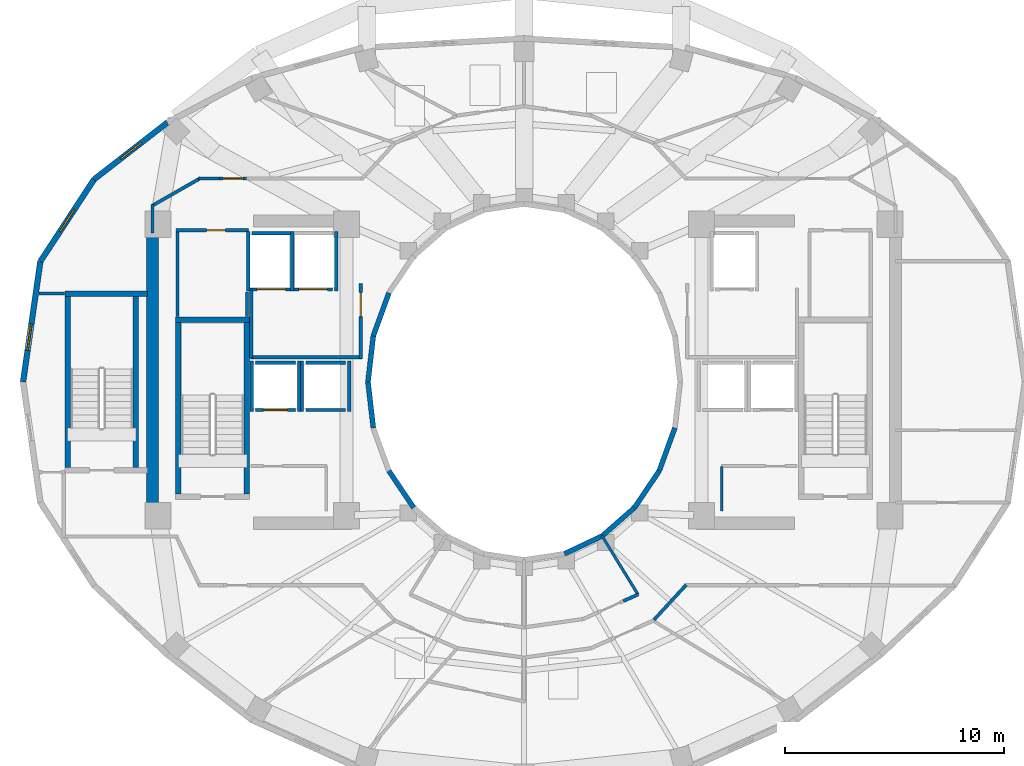
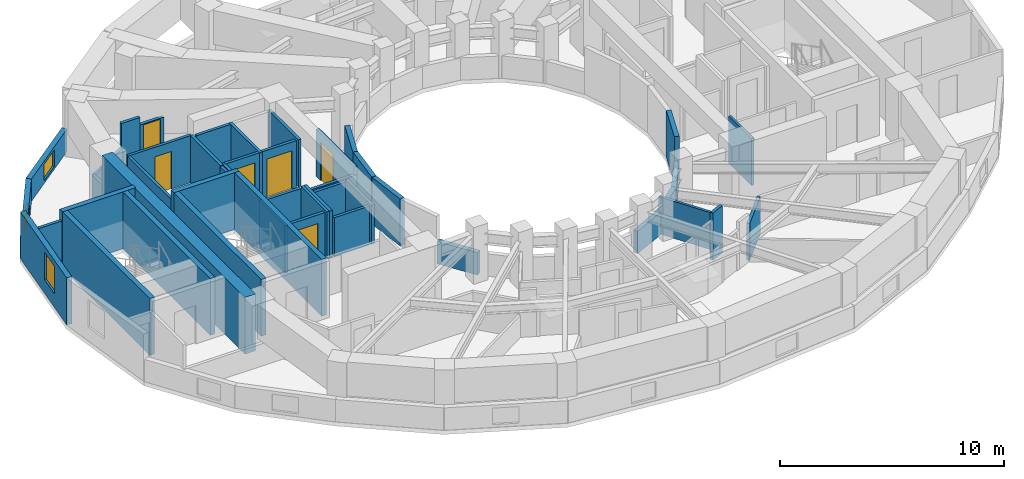
# One storey, part 4 of 9: 47 walls, 6 doors, 3 windows, 9 openings.
"""IFC4 building model written with IfcOpenShell, lengths in metres."""

from ifc_helpers import new_model, si_unit, direction, frame, frame_2d, origin, place, context, subcontext, project, spatial, rectangle, extrude, material, layer, layer_set, type_object, element, fill, save


model = new_model("IFC4")

# Units and contexts
model_context = context("Model", 3, precision=1e-05, world=origin(), true_north=direction((0.0, 1.0)))
body_context = subcontext(model_context, "Body", "Model", "MODEL_VIEW")
ifc_project = project(units=[si_unit("LENGTHUNIT", "METRE"), si_unit("AREAUNIT", "SQUARE_METRE"), si_unit("VOLUMEUNIT", "CUBIC_METRE"), si_unit("PLANEANGLEUNIT", "RADIAN"), si_unit("MASSUNIT", "GRAM", prefix="KILO")], contexts=[model_context])

# Site, building, storey
site_placement = place(None, origin())
site = spatial("IfcSite", under=ifc_project, at=site_placement, CompositionType="ELEMENT")
building_placement = place(site_placement, origin())
building = spatial("IfcBuilding", under=site, at=building_placement, Name="Solvane Sanctuary Tower", CompositionType="ELEMENT")
storey_placement = place(building_placement, frame((0.0, 0.0, 177.699951171875)))
storey = spatial("IfcBuildingStorey", under=building, at=storey_placement, Name="L54", CompositionType="ELEMENT", Elevation=177.699951171875)

# Walls
ifc_material_1 = material(Name="Concrete C50/60", Category="concrete")
ifc_layer_1 = layer(ifc_material_1, 0.550048828125, Name="Concrete C50/60")
ifc_layer_set_1 = layer_set([ifc_layer_1], Name="Concrete C50/60")
wall_type_1 = type_object("IfcWallType", Name="Wall W-CORE-550", PredefinedType="SHEAR", material=ifc_layer_set_1)
wall_1_placement = place(storey_placement, frame((15.050048828125, 17.050048828125, 0.0), z_axis=(0.0, 0.0, 1.0), x_axis=(0.0, 1.0, 0.0)))
element("IfcWall", 1, at=wall_1_placement, inside=storey, type_object=wall_type_1, Name="L54 Core Shear Wall WC-W", PredefinedType="SHEAR", context=body_context, shape_type="SweptSolid", body=[
    extrude(rectangle(XDim=12.800048828125, YDim=0.550048828125, at=frame_2d((6.39990234375, 0.0))), origin(), (0.0, 0.0, 1.0), 3.10009765625),
])
ifc_material_2 = material(Name="Acoustic Gypsum Partition Board")
ifc_layer_2 = layer(ifc_material_2, 0.14990234375, Name="Acoustic Gypsum Partition Board")
ifc_layer_set_2 = layer_set([ifc_layer_2], Name="Acoustic Gypsum Partition Board")
wall_type_2 = type_object("IfcWallType", Name="Wall W-CORR-150", PredefinedType="PARTITIONING", material=ifc_layer_set_2)
wall_2_placement = place(storey_placement, frame((19.52001953125, 24.1201171875, 0.0), z_axis=(0.0, 0.0, 1.0), x_axis=(1.0, 0.0, 0.0)))
element("IfcWall", 2, at=wall_2_placement, inside=storey, type_object=wall_type_2, Name="L54 West Firefighting Lobby South Wall", PredefinedType="PARTITIONING", context=body_context, shape_type="SweptSolid", body=[
    extrude(rectangle(XDim=5.080078125, YDim=0.14990234375, at=frame_2d((2.5400390625, 0.0))), origin(), (0.0, 0.0, 1.0), 2.1201171875),
])
wall_3_placement = place(storey_placement, frame((19.550048828125, 24.080078125, 0.0), z_axis=(0.0, 0.0, 1.0), x_axis=(0.0, 1.0, 0.0)))
element("IfcWall", 3, at=wall_3_placement, inside=storey, type_object=wall_type_2, Name="L54 West Firefighting Lobby West Wall", PredefinedType="PARTITIONING", context=body_context, shape_type="SweptSolid", body=[
    extrude(rectangle(XDim=3.199951171875, YDim=0.14990234375, at=frame_2d((1.60009765625, 0.0))), origin(), (0.0, 0.0, 1.0), 2.574951171875),
])

# Wall, opening, door
wall_4_placement = place(storey_placement, frame((24.550048828125, 24.080078125, 0.0), z_axis=(0.0, 0.0, 1.0), x_axis=(0.0, 1.0, 0.0)))
wall_4 = element("IfcWall", 4, at=wall_4_placement, inside=storey, type_object=wall_type_2, Name="L54 West Firefighting Lobby East Wall", PredefinedType="PARTITIONING", context=body_context, shape_type="SweptSolid", body=[
    extrude(rectangle(XDim=3.39990234375, YDim=0.14990234375, at=frame_2d((1.699951171875, 0.0))), origin(), (0.0, 0.0, 1.0), 2.574951171875),
])
opening_1_placement = place(wall_4_placement, frame((1.893798828125, 0.0, 0.0)))
opening_1 = element("IfcOpeningElement", 5, at=opening_1_placement, cuts=wall_4, Name="Opening D-L54-04", PredefinedType="OPENING", context=body_context, shape_type="SweptSolid", body=[
    extrude(rectangle(XDim=1.10009765625, YDim=2.10009765625, at=frame_2d((0.550048828125, 1.050048828125))), frame((0.0, 0.0849609375, 0.0), z_axis=(0.0, -1.0, 0.0), x_axis=(1.0, 0.0, 0.0)), (0.0, 0.0, 1.0), 0.169921875),
])
ifc_material_3 = material(Name="Architectural Stainless Steel 316", Category="steel")
door_type_1 = type_object("IfcDoorType", Name="Door D-FFL", OperationType="NOTDEFINED", PredefinedType="DOOR", material=ifc_material_3)
door_1_placement = place(opening_1_placement, origin())
door_1 = element("IfcDoor", 6, at=door_1_placement, inside=storey, type_object=door_type_1, Name="L54 West Firefighting Lobby Fire Door", OperationType="SINGLE_SWING_RIGHT", OverallHeight=2.10009765625, OverallWidth=1.10009765625, PredefinedType="DOOR", context=body_context, shape_type="SweptSolid", body=[
    extrude(rectangle(XDim=1.10009765625, YDim=2.10009765625, at=frame_2d((0.550048828125, 1.050048828125))), frame((0.0, 0.02490234375, 0.0), z_axis=(0.0, -1.0, 0.0), x_axis=(1.0, 0.0, 0.0)), (0.0, 0.0, 1.0), 0.050048828125),
])
fill(opening_1, door_1)

# Walls
wall_5_placement = place(storey_placement, frame((9.869873046875, 27.030029296875, 0.0), z_axis=(0.0, 0.0, 1.0), x_axis=(1.0, 0.0, 0.0)))
element("IfcWall", 7, at=wall_5_placement, inside=storey, type_object=wall_type_2, Name="L54 NW Corner Closer 1", PredefinedType="PARTITIONING", context=body_context, shape_type="SweptSolid", body=[
    extrude(rectangle(XDim=1.170166015625, YDim=0.14990234375, at=frame_2d((0.5849609375, 0.0))), origin(), (0.0, 0.0, 1.0), 2.574951171875),
])
wall_6_placement = place(storey_placement, frame((15.050048828125, 29.800048828125, 0.0), z_axis=(0.0, 0.0, 1.0), x_axis=(0.0, 1.0, 0.0)))
element("IfcWall", 8, at=wall_6_placement, inside=storey, type_object=wall_type_2, Name="L54 NW Corner Closer 2", PredefinedType="PARTITIONING", context=body_context, shape_type="SweptSolid", body=[
    extrude(rectangle(XDim=1.2900390625, YDim=0.14990234375, at=frame_2d((0.64501953125, 0.0))), origin(), (0.0, 0.0, 1.0), 1.219970703125),
])
wall_7_placement = place(storey_placement, frame((17.14990234375, 32.280029296875, 0.0), z_axis=(0.0, 0.0, 1.0), x_axis=(1.0, 0.0, 0.0)))
element("IfcWall", 9, at=wall_7_placement, inside=storey, type_object=wall_type_2, Name="L54 NW Corner Corridor Wall", PredefinedType="PARTITIONING", context=body_context, shape_type="SweptSolid", body=[
    extrude(rectangle(XDim=0.96435546875, YDim=0.14990234375, at=frame_2d((0.482177734375, 0.0))), origin(), (0.0, 0.0, 1.0), 2.574951171875),
])

# Wall, opening, door
wall_8_placement = place(storey_placement, frame((18.1142578125, 32.280029296875, 0.0), z_axis=(0.0, 0.0, 1.0), x_axis=(1.0, 0.0, 0.0)))
wall_8 = element("IfcWall", 10, at=wall_8_placement, inside=storey, type_object=wall_type_2, Name="L54 NW Corner Corridor Wall", PredefinedType="PARTITIONING", context=body_context, shape_type="SweptSolid", body=[
    extrude(rectangle(XDim=1.219970703125, YDim=0.14990234375, at=frame_2d((0.60986328125, 0.0))), origin(), (0.0, 0.0, 1.0), 2.16015625),
])
opening_2_placement = place(wall_8_placement, frame((0.159912109375, 0.0, 0.0)))
opening_2 = element("IfcOpeningElement", 11, at=opening_2_placement, cuts=wall_8, Name="Opening D-L54-14", PredefinedType="OPENING", context=body_context, shape_type="SweptSolid", body=[
    extrude(rectangle(XDim=0.89990234375, YDim=2.10009765625, at=frame_2d((0.449951171875, 1.050048828125))), frame((0.0, 0.0849609375, 0.0), z_axis=(0.0, -1.0, 0.0), x_axis=(1.0, 0.0, 0.0)), (0.0, 0.0, 1.0), 0.169921875),
])
ifc_material_4 = material(Name="Engineered Tropical Hardwood", Category="wood")
door_type_2 = type_object("IfcDoorType", Name="Door D-WET-900", OperationType="NOTDEFINED", PredefinedType="DOOR", material=ifc_material_4)
door_2_placement = place(opening_2_placement, origin())
door_2 = element("IfcDoor", 12, at=door_2_placement, inside=storey, type_object=door_type_2, Name="L54 NW Corner Salon Door", OperationType="SINGLE_SWING_RIGHT", OverallHeight=2.10009765625, OverallWidth=0.89990234375, PredefinedType="DOOR", context=body_context, shape_type="SweptSolid", body=[
    extrude(rectangle(XDim=0.89990234375, YDim=2.10009765625, at=frame_2d((0.449951171875, 1.050048828125))), frame((0.0, 0.02490234375, 0.0), z_axis=(0.0, -1.0, 0.0), x_axis=(1.0, 0.0, 0.0)), (0.0, 0.0, 1.0), 0.050048828125),
])
fill(opening_2, door_2)

# Walls
wall_9_placement = place(storey_placement, frame((17.243408203125, 32.3046875, 0.0), z_axis=(0.0, 0.0, 1.0), x_axis=(-0.867991349648, -0.496579315857, 0.0)))
element("IfcWall", 13, at=wall_9_placement, inside=storey, type_object=wall_type_2, Name="L54 NW Corner Wing Wall", PredefinedType="PARTITIONING", context=body_context, shape_type="SweptSolid", body=[
    extrude(rectangle(XDim=2.56689453125, YDim=0.14990234375, at=frame_2d((1.283447265625, 0.0))), origin(), (0.0, 0.0, 1.0), 1.219970703125),
])
wall_10_placement = place(storey_placement, frame((37.92822265625, 12.144287109375, 0.0), z_axis=(0.0, 0.0, 1.0), x_axis=(0.677579737957, 0.735449317567, 0.0)))
element("IfcWall", 14, at=wall_10_placement, inside=storey, type_object=wall_type_2, Name="L54 SE Corner Throat Wall", PredefinedType="PARTITIONING", context=body_context, shape_type="SweptSolid", body=[
    extrude(rectangle(XDim=2.172607421875, YDim=0.14990234375, at=frame_2d((1.08642578125, 0.0))), origin(), (0.0, 0.0, 1.0), 2.01904296875),
])
wall_11_placement = place(storey_placement, frame((36.52880859375, 12.999755859375, 0.0), z_axis=(0.0, 0.0, 1.0), x_axis=(0.913092011598, 0.407753575528, 0.0)))
element("IfcWall", 15, at=wall_11_placement, inside=storey, type_object=wall_type_2, Name="L54 Inner Light-Well Corridor Wall S2", PredefinedType="PARTITIONING", context=body_context, shape_type="SweptSolid", body=[
    extrude(rectangle(XDim=0.7431640625, YDim=0.14990234375, at=frame_2d((0.37158203125, 0.0))), origin(), (0.0, 0.0, 1.0), 2.574951171875),
])

# Wall, opening, window
ifc_material_5 = material(Name="Precast concrete C40/50", Category="concrete")
ifc_layer_3 = layer(ifc_material_5, 0.260009765625, Name="Precast concrete C40/50")
ifc_layer_set_3 = layer_set([ifc_layer_3], Name="Precast concrete C40/50")
wall_type_3 = type_object("IfcWallType", Name="Wall W-EXT-250", PredefinedType="STANDARD", material=ifc_layer_set_3)
wall_12_placement = place(storey_placement, frame((15.730712890625, 34.841552734375, 0.0), z_axis=(0.0, 0.0, 1.0), x_axis=(-0.790185650662, -0.612867552973, 0.0)))
wall_12 = element("IfcWall", 16, at=wall_12_placement, inside=storey, type_object=wall_type_3, Name="L54 Ceramic-Printed Facade Wall 09", PredefinedType="STANDARD", context=body_context, shape_type="SweptSolid", body=[
    extrude(rectangle(XDim=4.2392578125, YDim=0.260009765625, at=frame_2d((2.11962890625, 0.0))), origin(), (0.0, 0.0, 1.0), 1.219970703125),
])
opening_3_placement = place(wall_12_placement, frame((1.51953125, 0.0, 0.14990234375)))
opening_3 = element("IfcOpeningElement", 17, at=opening_3_placement, cuts=wall_12, Name="Opening WN-OPER-1200", PredefinedType="OPENING", context=body_context, shape_type="SweptSolid", body=[
    extrude(rectangle(XDim=1.199951171875, YDim=0.89990234375, at=frame_2d((0.60009765625, 0.449951171875))), frame((0.0, 0.139892578125, 0.0), z_axis=(0.0, -1.0, 0.0), x_axis=(1.0, 0.0, 0.0)), (0.0, 0.0, 1.0), 0.280029296875),
])
ifc_material_6 = material(Name="Dark Ceramic-Fritted Low-E Glass", Category="glass")
window_type = type_object("IfcWindowType", Name="Window WN-OPER-1200", PartitioningType="SINGLE_PANEL", PredefinedType="WINDOW", material=ifc_material_6)
window_1_placement = place(opening_3_placement, origin())
window_1 = element("IfcWindow", 18, at=window_1_placement, inside=storey, type_object=window_type, Name="L54 Operable Facade Window 09", OverallHeight=0.89990234375, OverallWidth=1.199951171875, PartitioningType="SINGLE_PANEL", PredefinedType="WINDOW", context=body_context, shape_type="SweptSolid", body=[
    extrude(rectangle(XDim=1.199951171875, YDim=0.89990234375, at=frame_2d((0.60009765625, 0.449951171875))), frame((0.0, 0.030029296875, 0.0), z_axis=(0.0, -1.0, 0.0), x_axis=(1.0, 0.0, 0.0)), (0.0, 0.0, 1.0), 0.06005859375),
])
fill(opening_3, window_1)

wall_13_placement = place(storey_placement, frame((12.380859375, 32.243408203125, 0.0), z_axis=(0.0, 0.0, 1.0), x_axis=(-0.547456494366, -0.836834145322, 0.0)))
wall_13 = element("IfcWall", 19, at=wall_13_placement, inside=storey, type_object=wall_type_3, Name="L54 Ceramic-Printed Facade Wall 10", PredefinedType="STANDARD", context=body_context, shape_type="SweptSolid", body=[
    extrude(rectangle(XDim=4.477294921875, YDim=0.260009765625, at=frame_2d((2.23876953125, 0.0))), origin(), (0.0, 0.0, 1.0), 1.219970703125),
])
opening_4_placement = place(wall_13_placement, frame((1.638671875, 0.0, 0.14990234375)))
opening_4 = element("IfcOpeningElement", 20, at=opening_4_placement, cuts=wall_13, Name="Opening WN-OPER-1200", PredefinedType="OPENING", context=body_context, shape_type="SweptSolid", body=[
    extrude(rectangle(XDim=1.199951171875, YDim=0.89990234375, at=frame_2d((0.60009765625, 0.449951171875))), frame((0.0, 0.139892578125, 0.0), z_axis=(0.0, -1.0, 0.0), x_axis=(1.0, 0.0, 0.0)), (0.0, 0.0, 1.0), 0.280029296875),
])
window_2_placement = place(opening_4_placement, origin())
window_2 = element("IfcWindow", 21, at=window_2_placement, inside=storey, type_object=window_type, Name="L54 Operable Facade Window 10", OverallHeight=0.89990234375, OverallWidth=1.199951171875, PartitioningType="SINGLE_PANEL", PredefinedType="WINDOW", context=body_context, shape_type="SweptSolid", body=[
    extrude(rectangle(XDim=1.199951171875, YDim=0.89990234375, at=frame_2d((0.60009765625, 0.449951171875))), frame((0.0, 0.030029296875, 0.0), z_axis=(0.0, -1.0, 0.0), x_axis=(1.0, 0.0, 0.0)), (0.0, 0.0, 1.0), 0.06005859375),
])
fill(opening_4, window_2)

wall_14_placement = place(storey_placement, frame((9.9296875, 28.49658203125, 0.0), z_axis=(0.0, 0.0, 1.0), x_axis=(-0.142227632286, -0.989833976288, 0.0)))
wall_14 = element("IfcWall", 22, at=wall_14_placement, inside=storey, type_object=wall_type_3, Name="L54 Ceramic-Printed Facade Wall 11", PredefinedType="STANDARD", context=body_context, shape_type="SweptSolid", body=[
    extrude(rectangle(XDim=5.552978515625, YDim=0.260009765625, at=frame_2d((2.7763671875, 0.0))), origin(), (0.0, 0.0, 1.0), 2.570068359375),
])
opening_5_placement = place(wall_14_placement, frame((2.892333984375, 0.0, 0.75)))
opening_5 = element("IfcOpeningElement", 23, at=opening_5_placement, cuts=wall_14, Name="Opening WN-OPER-1200", PredefinedType="OPENING", context=body_context, shape_type="SweptSolid", body=[
    extrude(rectangle(XDim=1.199951171875, YDim=1.5, at=frame_2d((0.60009765625, 0.75))), frame((0.0, 0.139892578125, 0.0), z_axis=(0.0, -1.0, 0.0), x_axis=(1.0, 0.0, 0.0)), (0.0, 0.0, 1.0), 0.280029296875),
])
window_3_placement = place(opening_5_placement, origin())
window_3 = element("IfcWindow", 24, at=window_3_placement, inside=storey, type_object=window_type, Name="L54 Operable Facade Window 11", OverallHeight=1.5, OverallWidth=1.199951171875, PartitioningType="SINGLE_PANEL", PredefinedType="WINDOW", context=body_context, shape_type="SweptSolid", body=[
    extrude(rectangle(XDim=1.199951171875, YDim=1.5, at=frame_2d((0.60009765625, 0.75))), frame((0.0, 0.030029296875, 0.0), z_axis=(0.0, -1.0, 0.0), x_axis=(1.0, 0.0, 0.0)), (0.0, 0.0, 1.0), 0.06005859375),
])
fill(opening_5, window_3)

# Walls
ifc_layer_4 = layer(ifc_material_5, 0.22998046875, Name="Precast concrete C40/50")
ifc_layer_set_4 = layer_set([ifc_layer_4], Name="Precast concrete C40/50")
wall_type_4 = type_object("IfcWallType", Name="Wall W-EXT-SP220", PredefinedType="STANDARD", material=ifc_layer_set_4)
wall_15_placement = place(storey_placement, frame((25.833984375, 27.06005859375, 0.0), z_axis=(0.0, 0.0, 1.0), x_axis=(-0.341423187295, -0.93990968033, 0.0)))
element("IfcWall", 25, at=wall_15_placement, inside=storey, type_object=wall_type_4, Name="L54 Central Light-Well Wall 10", PredefinedType="STANDARD", context=body_context, shape_type="SweptSolid", body=[
    extrude(rectangle(XDim=2.083740234375, YDim=0.22998046875, at=frame_2d((1.0419921875, 0.0))), origin(), (0.0, 0.0, 1.0), 2.56005859375),
])
for number, where, z_axis, x_axis, name in (
    (26, (25.12255859375, 25.1015625, 0.0), (0.0, 0.0, 1.0), (-0.114711713601, -0.993398823617, 0.0), "L54 Central Light-Well Wall 11"),
    (27, (24.8798828125, 23.0, 0.0), (0.0, 0.0, 1.0), (0.114711713601, -0.993398823617, 0.0), "L54 Central Light-Well Wall 12"),
):
    element("IfcWall", number, at=place(storey_placement, frame(where, z_axis=z_axis, x_axis=x_axis)), inside=storey, type_object=wall_type_4, Name=name, PredefinedType="STANDARD", context=body_context, shape_type="SweptSolid", body=[
        extrude(rectangle(XDim=2.115478515625, YDim=0.22998046875, at=frame_2d((1.0576171875, 0.0))), origin(), (0.0, 0.0, 1.0), 2.56005859375),
    ])
wall_16_placement = place(storey_placement, frame((25.833984375, 18.93994140625, 0.0), z_axis=(0.0, 0.0, 1.0), x_axis=(0.558197800898, -0.829707909492, 0.0)))
element("IfcWall", 28, at=wall_16_placement, inside=storey, type_object=wall_type_4, Name="L54 Central Light-Well Wall 14", PredefinedType="STANDARD", context=body_context, shape_type="SweptSolid", body=[
    extrude(rectangle(XDim=2.02685546875, YDim=0.22998046875, at=frame_2d((1.013427734375, 0.0))), origin(), (0.0, 0.0, 1.0), 1.219970703125),
])
wall_17_placement = place(storey_placement, frame((33.8427734375, 15.15673828125, 0.0), z_axis=(0.0, 0.0, 1.0), x_axis=(0.904179699603, 0.427152280606, 0.0)))
element("IfcWall", 29, at=wall_17_placement, inside=storey, type_object=wall_type_4, Name="L54 Central Light-Well Wall 19", PredefinedType="STANDARD", context=body_context, shape_type="SweptSolid", body=[
    extrude(rectangle(XDim=1.899169921875, YDim=0.22998046875, at=frame_2d((0.94970703125, 0.0))), origin(), (0.0, 0.0, 1.0), 1.219970703125),
])
wall_18_placement = place(storey_placement, frame((35.56005859375, 15.968017578125, 0.0), z_axis=(0.0, 0.0, 1.0), x_axis=(0.752576694707, 0.658504607869, 0.0)))
element("IfcWall", 30, at=wall_18_placement, inside=storey, type_object=wall_type_4, Name="L54 Central Light-Well Wall 20", PredefinedType="STANDARD", context=body_context, shape_type="SweptSolid", body=[
    extrude(rectangle(XDim=1.95947265625, YDim=0.22998046875, at=frame_2d((0.979736328125, 0.0))), origin(), (0.0, 0.0, 1.0), 1.219970703125),
])
wall_19_placement = place(storey_placement, frame((37.03466796875, 17.25830078125, 0.0), z_axis=(0.0, 0.0, 1.0), x_axis=(0.558197800898, 0.829707909492, 0.0)))
element("IfcWall", 31, at=wall_19_placement, inside=storey, type_object=wall_type_4, Name="L54 Central Light-Well Wall 21", PredefinedType="STANDARD", context=body_context, shape_type="SweptSolid", body=[
    extrude(rectangle(XDim=2.02685546875, YDim=0.22998046875, at=frame_2d((1.013427734375, 0.0))), origin(), (0.0, 0.0, 1.0), 1.219970703125),
])
wall_20_placement = place(storey_placement, frame((38.166015625, 18.93994140625, 0.0), z_axis=(0.0, 0.0, 1.0), x_axis=(0.341423187295, 0.93990968033, 0.0)))
element("IfcWall", 32, at=wall_20_placement, inside=storey, type_object=wall_type_4, Name="L54 Central Light-Well Wall 22", PredefinedType="STANDARD", context=body_context, shape_type="SweptSolid", body=[
    extrude(rectangle(XDim=2.083740234375, YDim=0.22998046875, at=frame_2d((1.0419921875, 0.0))), origin(), (0.0, 0.0, 1.0), 2.56005859375),
])
ifc_layer_5 = layer(ifc_material_2, 0.125, Name="Acoustic Gypsum Partition Board")
ifc_layer_set_5 = layer_set([ifc_layer_5], Name="Acoustic Gypsum Partition Board")
wall_type_5 = type_object("IfcWallType", Name="Wall W-PART-125", PredefinedType="PARTITIONING", material=ifc_layer_set_5)
wall_21_placement = place(storey_placement, frame((41.02001953125, 17.10009765625, 0.0), z_axis=(0.0, 0.0, 1.0), x_axis=(0.0, 1.0, 0.0)))
element("IfcWall", 33, at=wall_21_placement, inside=storey, type_object=wall_type_5, Name="L54 Reclaimed Room Closer Wall PLE-1", PredefinedType="PARTITIONING", context=body_context, shape_type="SweptSolid", body=[
    extrude(rectangle(XDim=2.039794921875, YDim=0.125, at=frame_2d((1.02001953125, 0.0))), origin(), (0.0, 0.0, 1.0), 2.574951171875),
])
wall_22_placement = place(storey_placement, frame((35.550048828125, 15.985107421875, 0.0), z_axis=(0.0, 0.0, 1.0), x_axis=(0.523587550846, -0.851971875474, 0.0)))
element("IfcWall", 34, at=wall_22_placement, inside=storey, type_object=wall_type_5, Name="L54 Inner Light-Well Radial Wall 300", PredefinedType="PARTITIONING", context=body_context, shape_type="SweptSolid", body=[
    extrude(rectangle(XDim=3.153076171875, YDim=0.125, at=frame_2d((1.57666015625, 0.0))), origin(), (0.0, 0.0, 1.0), 2.01904296875),
])

# Wall, opening, door
ifc_layer_6 = layer(ifc_material_1, 0.14990234375, Name="Concrete C50/60")
ifc_layer_set_6 = layer_set([ifc_layer_6], Name="Concrete C50/60")
wall_type_6 = type_object("IfcWallType", Name="Wall W-SHAFT-150", PredefinedType="SOLIDWALL", material=ifc_layer_set_6)
wall_23_placement = place(storey_placement, frame((19.739990234375, 21.719970703125, 0.0), z_axis=(0.0, 0.0, 1.0), x_axis=(1.0, 0.0, 0.0)))
wall_23 = element("IfcWall", 35, at=wall_23_placement, inside=storey, type_object=wall_type_6, Name="L54 PM-1 Lift Shaft Wall F", PredefinedType="SOLIDWALL", context=body_context, shape_type="SweptSolid", body=[
    extrude(rectangle(XDim=1.820068359375, YDim=0.14990234375, at=frame_2d((0.91015625, 0.0))), origin(), (0.0, 0.0, 1.0), 2.574951171875),
])
opening_6_placement = place(wall_23_placement, frame((0.360107421875, 0.0, 0.0)))
opening_6 = element("IfcOpeningElement", 36, at=opening_6_placement, cuts=wall_23, Name="Opening LD-L54-01", PredefinedType="OPENING", context=body_context, shape_type="SweptSolid", body=[
    extrude(rectangle(XDim=1.10009765625, YDim=2.10009765625, at=frame_2d((0.550048828125, 1.050048828125))), frame((0.0, 0.0849609375, 0.0), z_axis=(0.0, -1.0, 0.0), x_axis=(1.0, 0.0, 0.0)), (0.0, 0.0, 1.0), 0.169921875),
])
door_type_3 = type_object("IfcDoorType", Name="Door LD-PASS-1100", OperationType="NOTDEFINED", PredefinedType="DOOR", material=ifc_material_3)
door_3_placement = place(opening_6_placement, origin())
door_3 = element("IfcDoor", 37, at=door_3_placement, inside=storey, type_object=door_type_3, Name="L54 PM-1 Lift Landing Door", OperationType="DOUBLE_DOOR_SLIDING", OverallHeight=2.10009765625, OverallWidth=1.10009765625, PredefinedType="DOOR", context=body_context, shape_type="SweptSolid", body=[
    extrude(rectangle(XDim=1.10009765625, YDim=2.10009765625, at=frame_2d((0.550048828125, 1.050048828125))), frame((0.0, 0.02490234375, 0.0), z_axis=(0.0, -1.0, 0.0), x_axis=(1.0, 0.0, 0.0)), (0.0, 0.0, 1.0), 0.050048828125),
])
fill(opening_6, door_3)

# Walls
wall_24_placement = place(storey_placement, frame((19.739990234375, 23.8798828125, 0.0), z_axis=(0.0, 0.0, 1.0), x_axis=(1.0, 0.0, 0.0)))
element("IfcWall", 38, at=wall_24_placement, inside=storey, type_object=wall_type_6, Name="L54 PM-1 Lift Shaft Wall B", PredefinedType="SOLIDWALL", context=body_context, shape_type="SweptSolid", body=[
    extrude(rectangle(XDim=1.820068359375, YDim=0.14990234375, at=frame_2d((0.91015625, 0.0))), origin(), (0.0, 0.0, 1.0), 2.574951171875),
])
for number, where, z_axis, x_axis, name in (
    (39, (19.570068359375, 21.639892578125, 0.0), (0.0, 0.0, 1.0), (0.0, 1.0, 0.0), "L54 PM-1 Lift Shaft Wall S1"),
    (40, (21.72998046875, 21.639892578125, 0.0), (0.0, 0.0, 1.0), (0.0, 1.0, 0.0), "L54 PM-1 Lift Shaft Wall S2"),
):
    element("IfcWall", number, at=place(storey_placement, frame(where, z_axis=z_axis, x_axis=x_axis)), inside=storey, type_object=wall_type_6, Name=name, PredefinedType="SOLIDWALL", context=body_context, shape_type="SweptSolid", body=[
        extrude(rectangle(XDim=2.320068359375, YDim=0.14990234375, at=frame_2d((1.16015625, 0.0))), origin(), (0.0, 0.0, 1.0), 2.574951171875),
    ])
for number, where, z_axis, x_axis, name in (
    (41, (22.0400390625, 21.719970703125, 0.0), (0.0, 0.0, 1.0), (1.0, 0.0, 0.0), "L54 PH-1 Lift Shaft Wall F"),
    (42, (22.0400390625, 23.8798828125, 0.0), (0.0, 0.0, 1.0), (1.0, 0.0, 0.0), "L54 PH-1 Lift Shaft Wall B"),
):
    element("IfcWall", number, at=place(storey_placement, frame(where, z_axis=z_axis, x_axis=x_axis)), inside=storey, type_object=wall_type_6, Name=name, PredefinedType="SOLIDWALL", context=body_context, shape_type="SweptSolid", body=[
        extrude(rectangle(XDim=1.820068359375, YDim=0.14990234375, at=frame_2d((0.91015625, 0.0))), origin(), (0.0, 0.0, 1.0), 2.1201171875),
    ])
wall_25_placement = place(storey_placement, frame((21.8701171875, 21.639892578125, 0.0), z_axis=(0.0, 0.0, 1.0), x_axis=(0.0, 1.0, 0.0)))
element("IfcWall", 43, at=wall_25_placement, inside=storey, type_object=wall_type_6, Name="L54 PH-1 Lift Shaft Wall S1", PredefinedType="SOLIDWALL", context=body_context, shape_type="SweptSolid", body=[
    extrude(rectangle(XDim=2.320068359375, YDim=0.14990234375, at=frame_2d((1.16015625, 0.0))), origin(), (0.0, 0.0, 1.0), 2.574951171875),
])
wall_26_placement = place(storey_placement, frame((24.030029296875, 21.639892578125, 0.0), z_axis=(0.0, 0.0, 1.0), x_axis=(0.0, 1.0, 0.0)))
element("IfcWall", 44, at=wall_26_placement, inside=storey, type_object=wall_type_6, Name="L54 PH-1 Lift Shaft Wall S2", PredefinedType="SOLIDWALL", context=body_context, shape_type="SweptSolid", body=[
    extrude(rectangle(XDim=2.320068359375, YDim=0.14990234375, at=frame_2d((1.16015625, 0.0))), origin(), (0.0, 0.0, 1.0), 2.1201171875),
])

# Wall, opening, door
wall_27_placement = place(storey_placement, frame((19.590087890625, 27.219970703125, 0.0), z_axis=(0.0, 0.0, 1.0), x_axis=(1.0, 0.0, 0.0)))
wall_27 = element("IfcWall", 45, at=wall_27_placement, inside=storey, type_object=wall_type_6, Name="L54 FFL-1 Lift Shaft Wall F", PredefinedType="SOLIDWALL", context=body_context, shape_type="SweptSolid", body=[
    extrude(rectangle(XDim=1.760009765625, YDim=0.14990234375, at=frame_2d((0.8798828125, 0.0))), origin(), (0.0, 0.0, 1.0), 2.574951171875),
])
opening_7_placement = place(wall_27_placement, frame((0.22998046875, 0.0, 0.0)))
opening_7 = element("IfcOpeningElement", 46, at=opening_7_placement, cuts=wall_27, Name="Opening LD-L54-03", PredefinedType="OPENING", context=body_context, shape_type="SweptSolid", body=[
    extrude(rectangle(XDim=1.300048828125, YDim=2.10009765625, at=frame_2d((0.64990234375, 1.050048828125))), frame((0.0, 0.0849609375, 0.0), z_axis=(0.0, -1.0, 0.0), x_axis=(1.0, 0.0, 0.0)), (0.0, 0.0, 1.0), 0.169921875),
])
door_type_4 = type_object("IfcDoorType", Name="Door LD-FFL-1300", OperationType="NOTDEFINED", PredefinedType="DOOR", material=ifc_material_3)
door_4_placement = place(opening_7_placement, origin())
door_4 = element("IfcDoor", 47, at=door_4_placement, inside=storey, type_object=door_type_4, Name="L54 FFL-1 Lift Landing Door", OperationType="DOUBLE_DOOR_SLIDING", OverallHeight=2.10009765625, OverallWidth=1.300048828125, PredefinedType="DOOR", context=body_context, shape_type="SweptSolid", body=[
    extrude(rectangle(XDim=1.300048828125, YDim=2.10009765625, at=frame_2d((0.64990234375, 1.050048828125))), frame((0.0, 0.02490234375, 0.0), z_axis=(0.0, -1.0, 0.0), x_axis=(1.0, 0.0, 0.0)), (0.0, 0.0, 1.0), 0.050048828125),
])
fill(opening_7, door_4)

# Walls
wall_28_placement = place(storey_placement, frame((19.590087890625, 29.780029296875, 0.0), z_axis=(0.0, 0.0, 1.0), x_axis=(1.0, 0.0, 0.0)))
element("IfcWall", 48, at=wall_28_placement, inside=storey, type_object=wall_type_6, Name="L54 FFL-1 Lift Shaft Wall B", PredefinedType="SOLIDWALL", context=body_context, shape_type="SweptSolid", body=[
    extrude(rectangle(XDim=1.760009765625, YDim=0.14990234375, at=frame_2d((0.8798828125, 0.0))), origin(), (0.0, 0.0, 1.0), 2.574951171875),
])
for number, where, z_axis, x_axis, name in (
    (49, (19.419921875, 27.139892578125, 0.0), (0.0, 0.0, 1.0), (0.0, 1.0, 0.0), "L54 FFL-1 Lift Shaft Wall S1"),
    (50, (21.425048828125, 27.139892578125, 0.0), (0.0, 0.0, 1.0), (0.0, 1.0, 0.0), "L54 FFL-1 Lift Shaft Wall S2"),
):
    element("IfcWall", number, at=place(storey_placement, frame(where, z_axis=z_axis, x_axis=x_axis)), inside=storey, type_object=wall_type_6, Name=name, PredefinedType="SOLIDWALL", context=body_context, shape_type="SweptSolid", body=[
        extrude(rectangle(XDim=2.72021484375, YDim=0.14990234375, at=frame_2d((1.360107421875, 0.0))), origin(), (0.0, 0.0, 1.0), 2.574951171875),
    ])

# Wall, opening, door
wall_29_placement = place(storey_placement, frame((21.5, 27.219970703125, 0.0), z_axis=(0.0, 0.0, 1.0), x_axis=(1.0, 0.0, 0.0)))
wall_29 = element("IfcWall", 51, at=wall_29_placement, inside=storey, type_object=wall_type_6, Name="L54 SVL-1 Lift Shaft Wall F", PredefinedType="SOLIDWALL", context=body_context, shape_type="SweptSolid", body=[
    extrude(rectangle(XDim=1.760009765625, YDim=0.14990234375, at=frame_2d((0.8798828125, 0.0))), origin(), (0.0, 0.0, 1.0), 2.574951171875),
])
opening_8_placement = place(wall_29_placement, frame((0.22998046875, 0.0, 0.0)))
opening_8 = element("IfcOpeningElement", 52, at=opening_8_placement, cuts=wall_29, Name="Opening LD-L54-04", PredefinedType="OPENING", context=body_context, shape_type="SweptSolid", body=[
    extrude(rectangle(XDim=1.300048828125, YDim=2.10009765625, at=frame_2d((0.64990234375, 1.050048828125))), frame((0.0, 0.0849609375, 0.0), z_axis=(0.0, -1.0, 0.0), x_axis=(1.0, 0.0, 0.0)), (0.0, 0.0, 1.0), 0.169921875),
])
door_5_placement = place(opening_8_placement, origin())
door_5 = element("IfcDoor", 53, at=door_5_placement, inside=storey, type_object=door_type_4, Name="L54 SVL-1 Lift Landing Door", OperationType="DOUBLE_DOOR_SLIDING", OverallHeight=2.10009765625, OverallWidth=1.300048828125, PredefinedType="DOOR", context=body_context, shape_type="SweptSolid", body=[
    extrude(rectangle(XDim=1.300048828125, YDim=2.10009765625, at=frame_2d((0.64990234375, 1.050048828125))), frame((0.0, 0.02490234375, 0.0), z_axis=(0.0, -1.0, 0.0), x_axis=(1.0, 0.0, 0.0)), (0.0, 0.0, 1.0), 0.050048828125),
])
fill(opening_8, door_5)

# Walls
wall_30_placement = place(storey_placement, frame((23.429931640625, 27.139892578125, 0.0), z_axis=(0.0, 0.0, 1.0), x_axis=(0.0, 1.0, 0.0)))
element("IfcWall", 54, at=wall_30_placement, inside=storey, type_object=wall_type_6, Name="L54 SVL-1 Lift Shaft Wall S2", PredefinedType="SOLIDWALL", context=body_context, shape_type="SweptSolid", body=[
    extrude(rectangle(XDim=2.72021484375, YDim=0.14990234375, at=frame_2d((1.360107421875, 0.0))), origin(), (0.0, 0.0, 1.0), 2.574951171875),
])
ifc_layer_7 = layer(ifc_material_1, 0.25, Name="Concrete C50/60")
ifc_layer_set_7 = layer_set([ifc_layer_7], Name="Concrete C50/60")
wall_type_7 = type_object("IfcWallType", Name="Wall W-SHAFT-250", PredefinedType="SOLIDWALL", material=ifc_layer_set_7)
wall_31_placement = place(storey_placement, frame((16.10498046875, 25.830078125, 0.0), z_axis=(0.0, 0.0, 1.0), x_axis=(1.0, 0.0, 0.0)))
element("IfcWall", 55, at=wall_31_placement, inside=storey, type_object=wall_type_7, Name="L54 ST-1 Load-Bearing Shaft Wall N", PredefinedType="SOLIDWALL", context=body_context, shape_type="SweptSolid", body=[
    extrude(rectangle(XDim=3.3701171875, YDim=0.25, at=frame_2d((1.68505859375, 0.0))), origin(), (0.0, 0.0, 1.0), 3.10009765625),
])
for number, where, z_axis, x_axis, name in (
    (56, (16.22998046875, 17.89501953125, 0.0), (0.0, 0.0, 1.0), (0.0, 1.0, 0.0), "L54 ST-1 Load-Bearing Shaft Wall W"),
    (57, (19.35009765625, 17.89501953125, 0.0), (0.0, 0.0, 1.0), (0.0, 1.0, 0.0), "L54 ST-1 Load-Bearing Shaft Wall E"),
):
    element("IfcWall", number, at=place(storey_placement, frame(where, z_axis=z_axis, x_axis=x_axis)), inside=storey, type_object=wall_type_7, Name=name, PredefinedType="SOLIDWALL", context=body_context, shape_type="SweptSolid", body=[
        extrude(rectangle(XDim=7.81005859375, YDim=0.25, at=frame_2d((3.905029296875, 0.0))), origin(), (0.0, 0.0, 1.0), 3.10009765625),
    ])
wall_32_placement = place(storey_placement, frame((11.044921875, 27.030029296875, 0.0), z_axis=(0.0, 0.0, 1.0), x_axis=(1.0, 0.0, 0.0)))
element("IfcWall", 58, at=wall_32_placement, inside=storey, type_object=wall_type_7, Name="L54 ST-3 Load-Bearing Shaft Wall N", PredefinedType="SOLIDWALL", context=body_context, shape_type="SweptSolid", body=[
    extrude(rectangle(XDim=3.781982421875, YDim=0.25, at=frame_2d((1.89111328125, 0.0))), origin(), (0.0, 0.0, 1.0), 3.10009765625),
])
for number, where, z_axis, x_axis, name in (
    (59, (11.169921875, 19.094970703125, 0.0), (0.0, 0.0, 1.0), (0.0, 1.0, 0.0), "L54 ST-3 Load-Bearing Shaft Wall W"),
    (60, (14.2900390625, 19.094970703125, 0.0), (0.0, 0.0, 1.0), (0.0, 1.0, 0.0), "L54 ST-3 Load-Bearing Shaft Wall E"),
):
    element("IfcWall", number, at=place(storey_placement, frame(where, z_axis=z_axis, x_axis=x_axis)), inside=storey, type_object=wall_type_7, Name=name, PredefinedType="SOLIDWALL", context=body_context, shape_type="SweptSolid", body=[
        extrude(rectangle(XDim=7.81005859375, YDim=0.25, at=frame_2d((3.905029296875, 0.0))), origin(), (0.0, 0.0, 1.0), 3.10009765625),
    ])

# Wall, opening, door
ifc_layer_8 = layer(ifc_material_2, 0.139892578125, Name="Acoustic Gypsum Partition Board")
ifc_layer_set_8 = layer_set([ifc_layer_8], Name="Acoustic Gypsum Partition Board")
wall_type_8 = type_object("IfcWallType", Name="Wall W-WET-140", PredefinedType="PLUMBINGWALL", material=ifc_layer_set_8)
wall_33_placement = place(storey_placement, frame((16.1201171875, 29.919921875, 0.0), z_axis=(0.0, 0.0, 1.0), x_axis=(1.0, 0.0, 0.0)))
wall_33 = element("IfcWall", 61, at=wall_33_placement, inside=storey, type_object=wall_type_8, Name="L54 Core Service Front Wall KW0", PredefinedType="PLUMBINGWALL", context=body_context, shape_type="SweptSolid", body=[
    extrude(rectangle(XDim=3.2998046875, YDim=0.139892578125, at=frame_2d((1.64990234375, 0.0))), origin(), (0.0, 0.0, 1.0), 2.574951171875),
])
opening_9_placement = place(wall_33_placement, frame((1.3994140625, 0.0, 0.0)))
opening_9 = element("IfcOpeningElement", 62, at=opening_9_placement, cuts=wall_33, Name="Opening D-L54-08", PredefinedType="OPENING", context=body_context, shape_type="SweptSolid", body=[
    extrude(rectangle(XDim=0.85009765625, YDim=2.050048828125, at=frame_2d((0.425048828125, 1.02490234375))), frame((0.0, 0.079833984375, 0.0), z_axis=(0.0, -1.0, 0.0), x_axis=(1.0, 0.0, 0.0)), (0.0, 0.0, 1.0), 0.159912109375),
])
door_type_5 = type_object("IfcDoorType", Name="Door D-RISER", OperationType="NOTDEFINED", PredefinedType="DOOR", material=ifc_material_3)
door_6_placement = place(opening_9_placement, origin())
door_6 = element("IfcDoor", 63, at=door_6_placement, inside=storey, type_object=door_type_5, Name="L54 Core Service Room Door KW0-1", OperationType="SINGLE_SWING_RIGHT", OverallHeight=2.050048828125, OverallWidth=0.85009765625, PredefinedType="DOOR", context=body_context, shape_type="SweptSolid", body=[
    extrude(rectangle(XDim=0.85009765625, YDim=2.050048828125, at=frame_2d((0.425048828125, 1.02490234375))), frame((0.0, 0.02490234375, 0.0), z_axis=(0.0, -1.0, 0.0), x_axis=(1.0, 0.0, 0.0)), (0.0, 0.0, 1.0), 0.050048828125),
])
fill(opening_9, door_6)

# Walls
wall_34_placement = place(storey_placement, frame((16.179931640625, 25.97998046875, 0.0), z_axis=(0.0, 0.0, 1.0), x_axis=(0.0, 1.0, 0.0)))
element("IfcWall", 64, at=wall_34_placement, inside=storey, type_object=wall_type_8, Name="L54 Core Service Side Wall KW0-1", PredefinedType="PLUMBINGWALL", context=body_context, shape_type="SweptSolid", body=[
    extrude(rectangle(XDim=3.880126953125, YDim=0.139892578125, at=frame_2d((1.93994140625, 0.0))), origin(), (0.0, 0.0, 1.0), 2.574951171875),
])
wall_35_placement = place(storey_placement, frame((19.360107421875, 25.97998046875, 0.0), z_axis=(0.0, 0.0, 1.0), x_axis=(0.0, 1.0, 0.0)))
element("IfcWall", 65, at=wall_35_placement, inside=storey, type_object=wall_type_8, Name="L54 Core Service Side Wall KW0-2", PredefinedType="PLUMBINGWALL", context=body_context, shape_type="SweptSolid", body=[
    extrude(rectangle(XDim=1.1201171875, YDim=0.139892578125, at=frame_2d((0.56005859375, 0.0))), origin(), (0.0, 0.0, 1.0), 2.574951171875),
])

save(model, "model.ifc")
